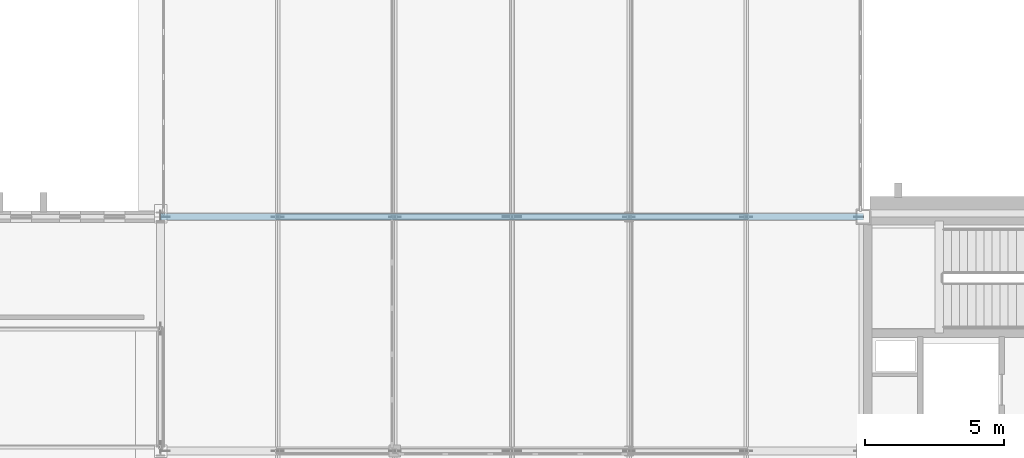
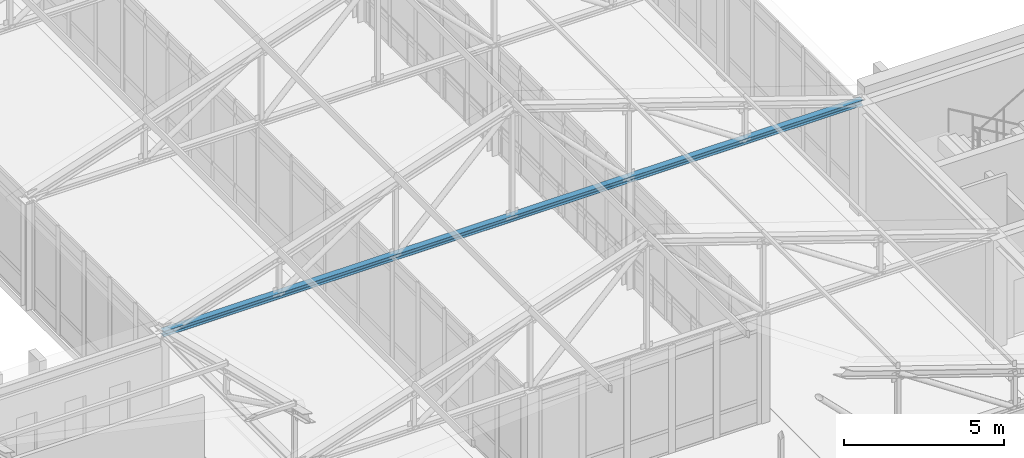
# One storey, part 41 of 192: 1 member.
"""IFC4 building model written with IfcOpenShell, lengths in metres."""

from ifc_helpers import new_model, si_unit, direction, frame, origin, origin_2d, place, context, subcontext, project, spatial, i_section, extrude, material, material_profile, profile_set, type_object, element, save


model = new_model("IFC4")

# Units and contexts
model_context = context("Model", 3, precision=1e-05, world=origin(), true_north=direction((0.0, 1.0)))
body_context = subcontext(model_context, "Body", "Model", "MODEL_VIEW")
ifc_project = project(units=[si_unit("LENGTHUNIT", "METRE"), si_unit("AREAUNIT", "SQUARE_METRE"), si_unit("VOLUMEUNIT", "CUBIC_METRE"), si_unit("PLANEANGLEUNIT", "RADIAN"), si_unit("MASSUNIT", "GRAM", prefix="KILO")], contexts=[model_context])

# Site, building, storey
site_placement = place(None, origin())
site = spatial("IfcSite", under=ifc_project, at=site_placement, CompositionType="ELEMENT")
building_placement = place(site_placement, origin())
building = spatial("IfcBuilding", under=site, at=building_placement, Name="Kveldsbrygga Polytechnic", CompositionType="ELEMENT")
storey_placement = place(building_placement, frame((0.0, 0.0, 5.43994140625)))
storey = spatial("IfcBuildingStorey", under=building, at=storey_placement, Name="L01", CompositionType="ELEMENT", Elevation=5.43994140625)

# Member
ifc_material = material(Name="Steel S355", Category="steel")
ifc_material_profile = material_profile(ifc_material, i_section(OverallWidth=0.219970703125, OverallDepth=0.2099609375, WebThickness=0.007080078125, FlangeThickness=0.010986328125, FilletRadius=0.01806640625, at=origin_2d()), Name="HEA 220")
ifc_profile_set = profile_set([ifc_material_profile], Name="Steel S355")
member_type = type_object("IfcMemberType", Name="TR-BOT-HEA220", PredefinedType="CHORD", material=ifc_profile_set)
member_placement = place(storey_placement, frame((50.39990234375, 25.199951171875, 4.1201171875), z_axis=(1.0, 0.0, 0.0), x_axis=(0.0, 1.0, 0.0)))
element("IfcMember", 1, at=member_placement, inside=storey, type_object=member_type, Name="Truss Bottom Chord V5C-T03-BC-1", PredefinedType="CHORD", context=body_context, shape_type="SweptSolid", body=[
    extrude(i_section(OverallWidth=0.219970703125, OverallDepth=0.2099609375, WebThickness=0.007080078125, FlangeThickness=0.010986328125, FilletRadius=0.01806640625, at=origin_2d()), origin(), (0.0, 0.0, 1.0), 25.2001953125),
])

save(model, "model.ifc")
